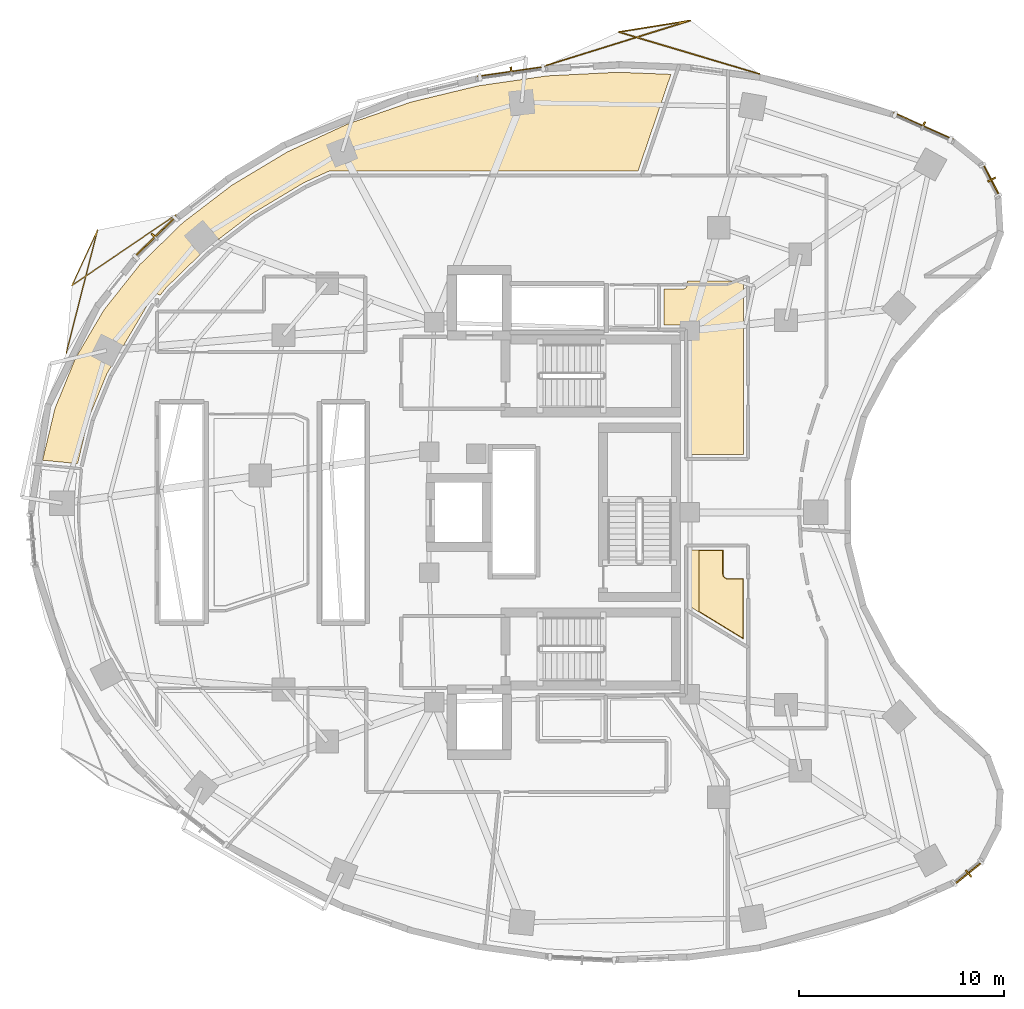
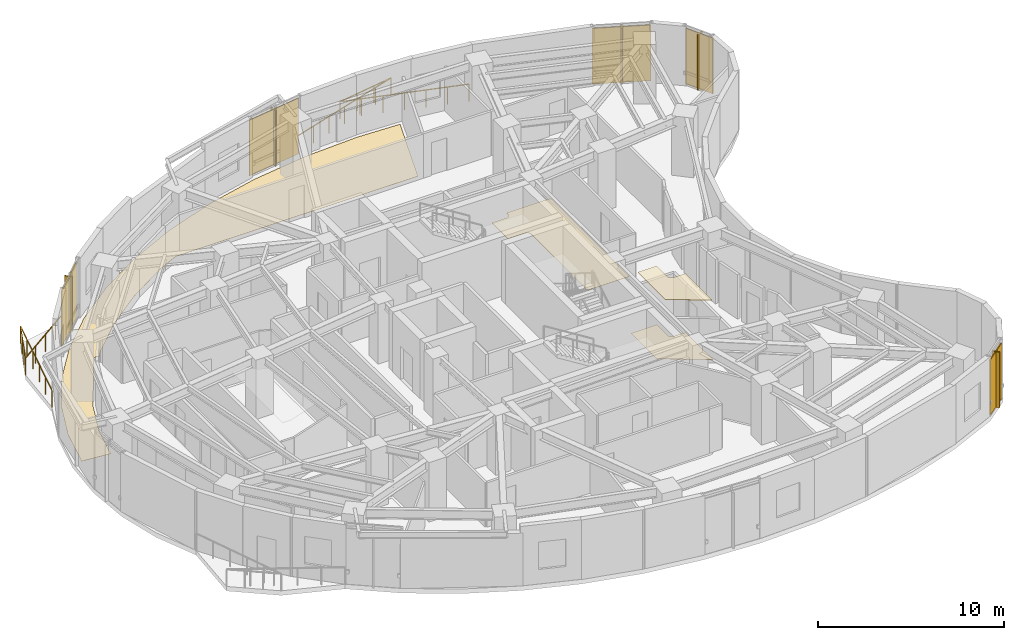
# One storey, part 15 of 15: 10 shading devices, 4 coverings, 2 railings.
"""IFC4 building model written with IfcOpenShell, lengths in metres."""

from ifc_helpers import new_model, si_unit, direction, frame, origin, origin_2d, place, context, subcontext, project, spatial, polyline, rectangle, outline, extrude, material, layer, layer_set, type_object, element, save


model = new_model("IFC4")

# Units and contexts
model_context = context("Model", 3, precision=1e-05, world=origin(), true_north=direction((0.0, 1.0)))
body_context = subcontext(model_context, "Body", "Model", "MODEL_VIEW")
ifc_project = project(units=[si_unit("LENGTHUNIT", "METRE"), si_unit("AREAUNIT", "SQUARE_METRE"), si_unit("VOLUMEUNIT", "CUBIC_METRE"), si_unit("PLANEANGLEUNIT", "RADIAN"), si_unit("MASSUNIT", "GRAM", prefix="KILO")], contexts=[model_context])

# Site, building, storey
site_placement = place(None, origin())
site = spatial("IfcSite", under=ifc_project, at=site_placement, CompositionType="ELEMENT")
building_placement = place(site_placement, origin())
building = spatial("IfcBuilding", under=site, at=building_placement, Name="Korentha Bioscience Tower", CompositionType="ELEMENT")
storey_placement = place(building_placement, frame((0.0, 0.0, 98.39990234375)))
storey = spatial("IfcBuildingStorey", under=building, at=storey_placement, Name="L22", CompositionType="ELEMENT", Elevation=98.39990234375)

# Railings
ifc_material_1 = material(Name="Laminated Tempered Safety Glass", Category="glass")
railing_type = type_object("IfcRailingType", Name="Laminated Glass Balcony Guardrail 1150", PredefinedType="BALUSTRADE", material=ifc_material_1)
railing_1_placement = place(storey_placement, frame((40.925537109375, 48.3564453125, 0.0)))
element("IfcRailing", 1, at=railing_1_placement, inside=storey, type_object=railing_type, Name="L22 Balcony Guardrail 01", PredefinedType="BALUSTRADE", context=body_context, shape_type="SweptSolid", body=[
    extrude(rectangle(XDim=0.048095703125, YDim=0.048095703125, at=origin_2d()), frame((0.0, 0.0, 1.1259765625), z_axis=(-0.958299428434, 0.285765997736, 0.0), x_axis=(-0.285765997736, -0.958299428434, 0.0)), (0.0, 0.0, 1.0), 7.137939453125),
    extrude(rectangle(XDim=0.048095703125, YDim=0.048095703125, at=origin_2d()), frame((-6.84033203125, 2.039794921875, 1.1259765625), z_axis=(0.987385992889, 0.158331617329, 0.0), x_axis=(-0.158331617329, 0.987385992889, 0.0)), (0.0, 0.0, 1.0), 3.544921875),
    extrude(rectangle(XDim=0.048095703125, YDim=0.048095703125, at=origin_2d()), frame((-3.340087890625, 2.60107421875, 1.1259765625), z_axis=(-0.954750497561, -0.297407947786, 0.0), x_axis=(0.297407947786, -0.954750497561, 0.0)), (0.0, 0.0, 1.0), 7.360107421875),
    extrude(rectangle(XDim=0.0419921875, YDim=0.0419921875, at=origin_2d()), origin(), (0.0, 0.0, 1.0), 1.101806640625),
    extrude(rectangle(XDim=0.0419921875, YDim=0.0419921875, at=origin_2d()), frame((-1.14013671875, 0.33984375, 0.0)), (0.0, 0.0, 1.0), 1.101806640625),
    extrude(rectangle(XDim=0.0419921875, YDim=0.0419921875, at=origin_2d()), frame((-2.280029296875, 0.679931640625, 0.0)), (0.0, 0.0, 1.0), 1.101806640625),
    extrude(rectangle(XDim=0.0419921875, YDim=0.0419921875, at=origin_2d()), frame((-3.420166015625, 1.02001953125, 0.0)), (0.0, 0.0, 1.0), 1.101806640625),
    extrude(rectangle(XDim=0.0419921875, YDim=0.0419921875, at=origin_2d()), frame((-4.560302734375, 1.35986328125, 0.0)), (0.0, 0.0, 1.0), 1.101806640625),
    extrude(rectangle(XDim=0.0419921875, YDim=0.0419921875, at=origin_2d()), frame((-5.7001953125, 1.69970703125, 0.0)), (0.0, 0.0, 1.0), 1.101806640625),
    extrude(rectangle(XDim=0.0419921875, YDim=0.0419921875, at=origin_2d()), frame((-6.84033203125, 2.039794921875, 0.0)), (0.0, 0.0, 1.0), 1.101806640625),
    extrude(rectangle(XDim=0.0419921875, YDim=0.0419921875, at=origin_2d()), frame((-5.673583984375, 2.226806640625, 0.0)), (0.0, 0.0, 1.0), 1.101806640625),
    extrude(rectangle(XDim=0.0419921875, YDim=0.0419921875, at=origin_2d()), frame((-4.5068359375, 2.4140625, 0.0)), (0.0, 0.0, 1.0), 1.101806640625),
    extrude(rectangle(XDim=0.0419921875, YDim=0.0419921875, at=origin_2d()), frame((-3.340087890625, 2.60107421875, 0.0)), (0.0, 0.0, 1.0), 1.101806640625),
    extrude(rectangle(XDim=0.0419921875, YDim=0.0419921875, at=origin_2d()), frame((-4.51123046875, 2.236328125, 0.0)), (0.0, 0.0, 1.0), 1.101806640625),
    extrude(rectangle(XDim=0.0419921875, YDim=0.0419921875, at=origin_2d()), frame((-5.682373046875, 1.871337890625, 0.0)), (0.0, 0.0, 1.0), 1.101806640625),
    extrude(rectangle(XDim=0.0419921875, YDim=0.0419921875, at=origin_2d()), frame((-6.853515625, 1.506591796875, 0.0)), (0.0, 0.0, 1.0), 1.101806640625),
    extrude(rectangle(XDim=0.0419921875, YDim=0.0419921875, at=origin_2d()), frame((-8.02490234375, 1.141845703125, 0.0)), (0.0, 0.0, 1.0), 1.101806640625),
    extrude(rectangle(XDim=0.0419921875, YDim=0.0419921875, at=origin_2d()), frame((-9.196044921875, 0.77685546875, 0.0)), (0.0, 0.0, 1.0), 1.101806640625),
    extrude(rectangle(XDim=0.0419921875, YDim=0.0419921875, at=origin_2d()), frame((-10.3671875, 0.412109375, 0.0)), (0.0, 0.0, 1.0), 1.101806640625),
])
railing_2_placement = place(storey_placement, frame((12.52294921875, 41.495361328125, 0.0)))
element("IfcRailing", 2, at=railing_2_placement, inside=storey, type_object=railing_type, Name="L22 Balcony Guardrail 02", PredefinedType="BALUSTRADE", context=body_context, shape_type="SweptSolid", body=[
    extrude(rectangle(XDim=0.048095703125, YDim=0.048095703125, at=origin_2d()), frame((0.0, 0.0, 1.1259765625), z_axis=(-0.827016241703, -0.562178028705, 0.0), x_axis=(0.562178028705, -0.827016241703, 0.0)), (0.0, 0.0, 1.0), 6.1220703125),
    extrude(rectangle(XDim=0.048095703125, YDim=0.048095703125, at=origin_2d()), frame((-5.06298828125, -3.441650390625, 1.1259765625), z_axis=(0.418625157172, 0.908159114793, 0.0), x_axis=(-0.908159114793, 0.418625157172, 0.0)), (0.0, 0.0, 1.0), 2.9677734375),
    extrude(rectangle(XDim=0.048095703125, YDim=0.048095703125, at=origin_2d()), frame((-3.820556640625, -0.746337890625, 1.1259765625), z_axis=(-0.24639187643, -0.969170285981, 0.0), x_axis=(0.969170285981, -0.24639187643, 0.0)), (0.0, 0.0, 1.0), 6.19384765625),
    extrude(rectangle(XDim=0.0419921875, YDim=0.0419921875, at=origin_2d()), origin(), (0.0, 0.0, 1.0), 1.101806640625),
    extrude(rectangle(XDim=0.0419921875, YDim=0.0419921875, at=origin_2d()), frame((-1.0126953125, -0.688232421875, 0.0)), (0.0, 0.0, 1.0), 1.101806640625),
    extrude(rectangle(XDim=0.0419921875, YDim=0.0419921875, at=origin_2d()), frame((-2.025146484375, -1.376708984375, 0.0)), (0.0, 0.0, 1.0), 1.101806640625),
    extrude(rectangle(XDim=0.0419921875, YDim=0.0419921875, at=origin_2d()), frame((-3.037841796875, -2.06494140625, 0.0)), (0.0, 0.0, 1.0), 1.101806640625),
    extrude(rectangle(XDim=0.0419921875, YDim=0.0419921875, at=origin_2d()), frame((-4.05029296875, -2.75341796875, 0.0)), (0.0, 0.0, 1.0), 1.101806640625),
    extrude(rectangle(XDim=0.0419921875, YDim=0.0419921875, at=origin_2d()), frame((-5.06298828125, -3.441650390625, 0.0)), (0.0, 0.0, 1.0), 1.101806640625),
    extrude(rectangle(XDim=0.0419921875, YDim=0.0419921875, at=origin_2d()), frame((-4.64892578125, -2.543212890625, 0.0)), (0.0, 0.0, 1.0), 1.101806640625),
    extrude(rectangle(XDim=0.0419921875, YDim=0.0419921875, at=origin_2d()), frame((-4.234619140625, -1.644775390625, 0.0)), (0.0, 0.0, 1.0), 1.101806640625),
    extrude(rectangle(XDim=0.0419921875, YDim=0.0419921875, at=origin_2d()), frame((-3.820556640625, -0.746337890625, 0.0)), (0.0, 0.0, 1.0), 1.101806640625),
    extrude(rectangle(XDim=0.0419921875, YDim=0.0419921875, at=origin_2d()), frame((-4.125732421875, -1.947021484375, 0.0)), (0.0, 0.0, 1.0), 1.101806640625),
    extrude(rectangle(XDim=0.0419921875, YDim=0.0419921875, at=origin_2d()), frame((-4.430908203125, -3.1474609375, 0.0)), (0.0, 0.0, 1.0), 1.101806640625),
    extrude(rectangle(XDim=0.0419921875, YDim=0.0419921875, at=origin_2d()), frame((-4.736328125, -4.34814453125, 0.0)), (0.0, 0.0, 1.0), 1.101806640625),
    extrude(rectangle(XDim=0.0419921875, YDim=0.0419921875, at=origin_2d()), frame((-5.04150390625, -5.548583984375, 0.0)), (0.0, 0.0, 1.0), 1.101806640625),
    extrude(rectangle(XDim=0.0419921875, YDim=0.0419921875, at=origin_2d()), frame((-5.3466796875, -6.749267578125, 0.0)), (0.0, 0.0, 1.0), 1.101806640625),
])

# Covering
ifc_material_2 = material(Name="Antimicrobial Mineral Fibre Board", Category="gypsum")
ifc_layer_1 = layer(ifc_material_2, 0.034912109375, Name="Antimicrobial Mineral Fibre Board")
ifc_layer_set_1 = layer_set([ifc_layer_1], Name="Antimicrobial Mineral Fibre Board (CL-MF35)")
covering_type_1 = type_object("IfcCoveringType", Name="Mineral-Fibre Cleanroom Suspended Ceiling 35", PredefinedType="CEILING", material=ifc_layer_set_1)
covering_1_placement = place(storey_placement, frame((0.0, 0.0, 3.864990234375)))
element("IfcCovering", 3, at=covering_1_placement, inside=storey, type_object=covering_type_1, Name="L22 Reference Archive Vault 05 Acoustic Ceiling", PredefinedType="CEILING", context=body_context, shape_type="SweptSolid", body=[
    extrude(outline(polyline([(39.148193359375, 23.995361328125), (39.17041015625, 23.897705078125), (39.21142578125, 23.833984375), (39.339599609375, 23.755859375), (40.139892578125, 23.748046875), (40.139892578125, 20.873291015625), (37.989990234375, 22.185791015625), (37.989990234375, 25.139892578125), (39.14794921875, 25.139892578125), (39.148193359375, 23.995361328125)])), origin(), (0.0, 0.0, 1.0), 0.03515625),
])

# Shading devices
ifc_material_3 = material(Name="Perforated Stone-Ceramic Composite", Category="masonry")
ifc_layer_2 = layer(ifc_material_3, 0.06494140625, Name="Perforated Stone-Ceramic Composite")
ifc_layer_set_2 = layer_set([ifc_layer_2], Name="Perforated Stone-Ceramic Composite (CS-01)")
shading_device_type_1 = type_object("IfcShadingDeviceType", Name="Perforated Stone-Ceramic Solar Screen Panel 65", PredefinedType="USERDEFINED", material=ifc_layer_set_2)
shading_device_1_placement = place(storey_placement, frame((48.912109375, 45.811279296875, 0.000244140625), z_axis=(0.0, 0.0, 1.0), x_axis=(-0.912686563127, 0.408660295952, 0.0)))
element("IfcShadingDevice", 4, at=shading_device_1_placement, inside=storey, type_object=shading_device_type_1, Name="CW-L22-01 Perforated Stone-Ceramic Solar Screen", ObjectType="SCREEN", PredefinedType="USERDEFINED", context=body_context, shape_type="SweptSolid", body=[
    extrude(rectangle(XDim=3.1806640625, YDim=0.06494140625, at=origin_2d()), origin(), (0.0, 0.0, 1.0), 3.64990234375),
])
shading_device_2_placement = place(storey_placement, frame((28.85888671875, 48.46240234375, 0.000244140625), z_axis=(0.0, 0.0, 1.0), x_axis=(-0.989738282326, -0.14289203091, 0.0)))
element("IfcShadingDevice", 5, at=shading_device_2_placement, inside=storey, type_object=shading_device_type_1, Name="CW-L22-07 Perforated Stone-Ceramic Solar Screen", ObjectType="SCREEN", PredefinedType="USERDEFINED", context=body_context, shape_type="SweptSolid", body=[
    extrude(rectangle(XDim=3.351318359375, YDim=0.06494140625, at=origin_2d()), origin(), (0.0, 0.0, 1.0), 3.64990234375),
])
shading_device_3_placement = place(storey_placement, frame((11.497314453125, 40.41162109375, 0.000244140625), z_axis=(0.0, 0.0, 1.0), x_axis=(-0.716095631804, -0.698002182025, 0.0)))
element("IfcShadingDevice", 6, at=shading_device_3_placement, inside=storey, type_object=shading_device_type_1, Name="CW-L22-13 Perforated Stone-Ceramic Solar Screen", ObjectType="SCREEN", PredefinedType="USERDEFINED", context=body_context, shape_type="SweptSolid", body=[
    extrude(rectangle(XDim=2.8818359375, YDim=0.06494140625, at=origin_2d()), origin(), (0.0, 0.0, 1.0), 3.64990234375),
])
for number, where, z_axis, x_axis, name in (
    (7, (51.1103515625, 9.428955078125, 0.000244140625), (0.0, 0.0, 1.0), (0.777315301098, 0.629111216463, 0.0), "CW-L22-37 Perforated Stone-Ceramic Solar Screen"),
    (8, (52.2294921875, 43.1953125, 0.000244140625), (0.0, 0.0, 1.0), (-0.457613117169, 0.889151412862, 0.0), "CW-L22-61 Perforated Stone-Ceramic Solar Screen"),
):
    element("IfcShadingDevice", number, at=place(storey_placement, frame(where, z_axis=z_axis, x_axis=x_axis)), inside=storey, type_object=shading_device_type_1, Name=name, ObjectType="SCREEN", PredefinedType="USERDEFINED", context=body_context, shape_type="SweptSolid", body=[
        extrude(rectangle(XDim=1.737548828125, YDim=0.06494140625, at=origin_2d()), origin(), (0.0, 0.0, 1.0), 3.64990234375),
    ])

# Coverings
ifc_material_4 = material(Name="Chemical-Resistant Epoxy Resin", Category="polymer")
ifc_layer_3 = layer(ifc_material_4, 0.011962890625, Name="Chemical-Resistant Epoxy Resin")
ifc_layer_set_3 = layer_set([ifc_layer_3], Name="Chemical-Resistant Epoxy Resin (FL-EPX)")
covering_type_2 = type_object("IfcCoveringType", Name="Seamless Epoxy Laboratory Flooring 12", PredefinedType="FLOORING", material=ifc_layer_set_3)
covering_2_placement = place(storey_placement, origin())
element("IfcCovering", 9, at=covering_2_placement, inside=storey, type_object=covering_type_2, Name="L22 Reference Archive Vault 05 Floor Finish", PredefinedType="FLOORING", context=body_context, shape_type="SweptSolid", body=[
    extrude(outline(polyline([(39.177978515625, 24.002197265625), (39.22021484375, 23.87109375), (39.28515625, 23.81103515625), (39.346923828125, 23.784912109375), (40.169921875, 23.778076171875), (40.169921875, 20.81982421875), (37.5849609375, 22.397705078125), (37.580322265625, 25.169921875), (39.177978515625, 25.169921875), (39.177978515625, 24.002197265625)])), origin(), (0.0, 0.0, 1.0), 0.01220703125),
])
covering_3_placement = place(storey_placement, origin())
element("IfcCovering", 10, at=covering_3_placement, inside=storey, type_object=covering_type_2, Name="L22 Vaccine Formulation Cleanroom 07 Floor Finish", PredefinedType="FLOORING", context=body_context, shape_type="SweptSolid", body=[
    extrude(outline(polyline([(37.429931640625, 38.278076171875), (40.169921875, 38.27783203125), (40.169921875, 29.822021484375), (37.580078125, 29.822021484375), (37.577392578125, 35.93408203125), (37.5576171875, 35.998779296875), (37.5048828125, 36.070068359375), (37.38427734375, 36.12744140625), (36.280029296875, 36.1298828125), (36.280029296875, 37.8701171875), (37.199951171875, 37.8701171875), (37.277099609375, 37.88330078125), (37.354736328125, 37.929931640625), (37.41650390625, 38.022216796875), (37.429931640625, 38.278076171875)])), origin(), (0.0, 0.0, 1.0), 0.01220703125),
])
covering_4_placement = place(storey_placement, origin())
element("IfcCovering", 11, at=covering_4_placement, inside=storey, type_object=covering_type_2, Name="L22 Cold-Chain Stability Chamber 09 Floor Finish", PredefinedType="FLOORING", context=body_context, shape_type="SweptSolid", body=[
    extrude(outline(polyline([(6.63330078125, 32.070068359375), (7.63427734375, 34.5185546875), (9.01806640625, 36.86376953125), (10.76708984375, 39.0712890625), (12.85693359375, 41.108642578125), (15.259033203125, 42.944580078125), (17.938720703125, 44.5517578125), (20.857666015625, 45.905517578125), (23.97265625, 46.98486328125), (27.23876953125, 47.77392578125), (30.60791015625, 48.260498046875), (34.030517578125, 48.436767578125), (36.62939453125, 48.33349609375), (35.029296875, 43.63330078125), (20.03076171875, 43.629638671875), (19.94580078125, 43.608642578125), (18.735595703125, 43.047119140625), (16.205322265625, 41.5283203125), (13.97021484375, 39.8193359375), (12.042236328125, 37.940673828125), (11.744873046875, 37.568115234375), (11.662109375, 37.622802734375), (11.57421875, 37.637939453125), (11.468994140625, 37.609375), (11.400634765625, 37.552001953125), (9.15478515625, 33.745849609375), (8.259521484375, 31.554443359375), (7.733642578125, 29.373779296875), (6.02734375, 29.541259765625), (6.63330078125, 32.070068359375)])), origin(), (0.0, 0.0, 1.0), 0.01220703125),
])

# Shading devices
ifc_material_5 = material(Name="Honed Travertine Limestone", Category="masonry")
ifc_layer_4 = layer(ifc_material_5, 0.080078125, Name="Honed Travertine Limestone")
ifc_layer_set_4 = layer_set([ifc_layer_4], Name="Honed Travertine Limestone (CS-02)")
shading_device_type_2 = type_object("IfcShadingDeviceType", Name="Vertical Honed Limestone Sunshade Fin 80x420", PredefinedType="USERDEFINED", material=ifc_layer_set_4)
for number, where, z_axis, x_axis, name in (
    (12, (48.92041015625, 45.82958984375, 0.000244140625), (0.0, 0.0, 1.0), (-0.912686563127, 0.408660295952, 0.0), "CW-L22-01 Limestone Sunshade Fin"),
    (13, (28.856201171875, 48.482421875, 0.000244140625), (0.0, 0.0, 1.0), (-0.989738282326, -0.14289203091, 0.0), "CW-L22-07 Limestone Sunshade Fin"),
    (14, (11.483154296875, 40.42578125, 0.000244140625), (0.0, 0.0, 1.0), (-0.716095631804, -0.698002182025, 0.0), "CW-L22-13 Limestone Sunshade Fin"),
    (15, (51.122802734375, 9.413330078125, 0.000244140625), (0.0, 0.0, 1.0), (0.777315301098, 0.629111216463, 0.0), "CW-L22-37 Limestone Sunshade Fin"),
    (16, (52.2470703125, 43.20458984375, 0.000244140625), (0.0, 0.0, 1.0), (-0.457613117169, 0.889151412862, 0.0), "CW-L22-61 Limestone Sunshade Fin"),
):
    element("IfcShadingDevice", number, at=place(storey_placement, frame(where, z_axis=z_axis, x_axis=x_axis)), inside=storey, type_object=shading_device_type_2, Name=name, ObjectType="SCREEN", PredefinedType="USERDEFINED", context=body_context, shape_type="SweptSolid", body=[
        extrude(rectangle(XDim=0.080078125, YDim=0.419921875, at=origin_2d()), origin(), (0.0, 0.0, 1.0), 3.64990234375),
    ])

save(model, "model.ifc")
